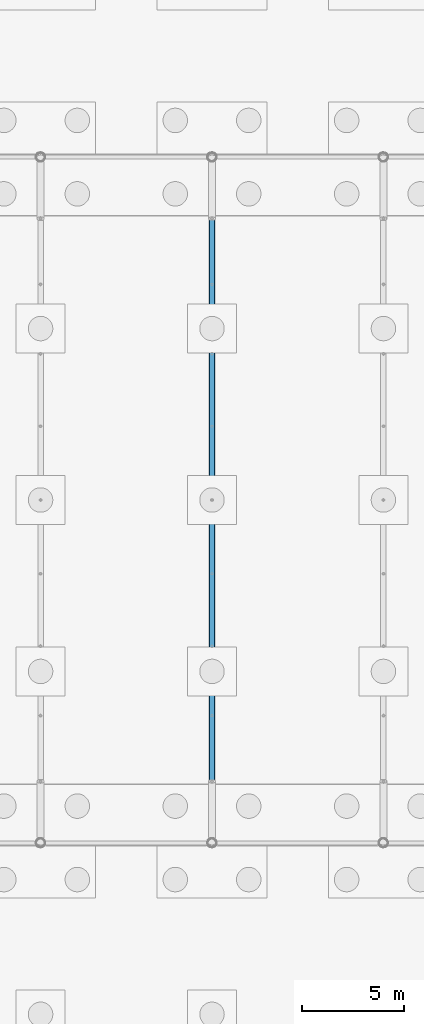
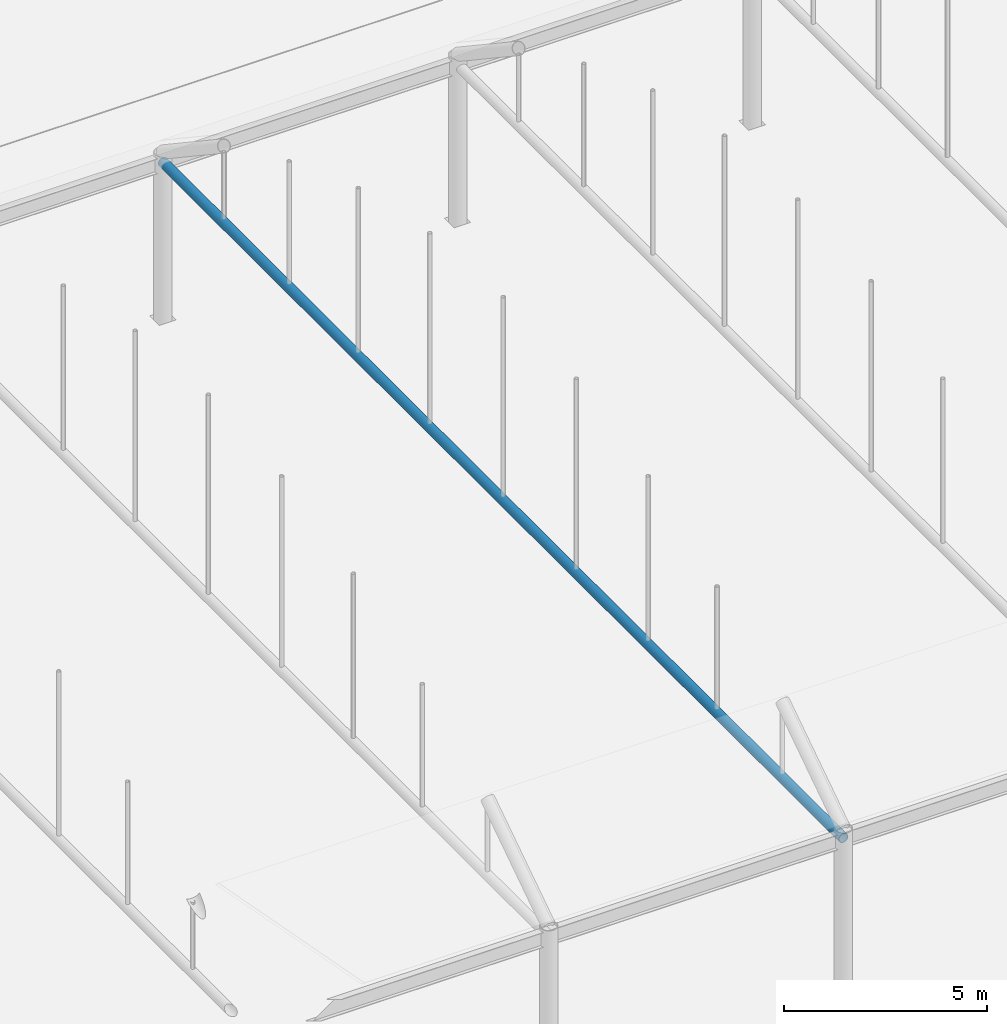
# One storey, part 55 of 212: 1 beam.
"""IFC4 building model written with IfcOpenShell, lengths in metres."""

from ifc_helpers import new_model, si_unit, direction, frame, origin, origin_2d, place, context, subcontext, project, spatial, hollow_circle, extrude, material, material_profile, profile_set, type_object, element, save


model = new_model("IFC4")

# Units and contexts
model_context = context("Model", 3, precision=1e-05, world=origin(), true_north=direction((0.0, 1.0)))
body_context = subcontext(model_context, "Body", "Model", "MODEL_VIEW")
ifc_project = project(units=[si_unit("LENGTHUNIT", "METRE"), si_unit("AREAUNIT", "SQUARE_METRE"), si_unit("VOLUMEUNIT", "CUBIC_METRE"), si_unit("PLANEANGLEUNIT", "RADIAN"), si_unit("MASSUNIT", "GRAM", prefix="KILO")], contexts=[model_context])

# Site, building, storey
site_placement = place(None, origin())
site = spatial("IfcSite", under=ifc_project, at=site_placement, CompositionType="ELEMENT")
building_placement = place(site_placement, origin())
building = spatial("IfcBuilding", under=site, at=building_placement, Name="Catenary Quay Ferry Terminal", CompositionType="ELEMENT")
storey_placement = place(building_placement, origin())
storey = spatial("IfcBuildingStorey", under=building, at=storey_placement, Name="L00", CompositionType="ELEMENT", Elevation=0.0)

# Beam
ifc_material = material(Name="Steel S355", Category="steel")
ifc_material_profile = material_profile(ifc_material, hollow_circle(Radius=0.136474609375, WallThickness=0.012451171875, at=origin_2d()), Name="CHS 273x12.5")
ifc_profile_set = profile_set([ifc_material_profile], Name="Steel S355")
beam_type = type_object("IfcBeamType", Name="TB1 CHS 273x12.5", PredefinedType="BEAM", material=ifc_profile_set)
beam_placement = place(storey_placement, frame((58.800048828125, 16.800048828125, 4.699951171875), z_axis=(0.0, 1.0, 0.0), x_axis=(-1.0, 0.0, 0.0)))
element("IfcBeam", 1, at=beam_placement, inside=storey, type_object=beam_type, Name="tie beam CA-06", PredefinedType="BEAM", context=body_context, shape_type="SweptSolid", body=[
    extrude(hollow_circle(Radius=0.136474609375, WallThickness=0.012451171875, at=origin_2d()), origin(), (0.0, 0.0, 1.0), 33.599853515625),
])

save(model, "model.ifc")
